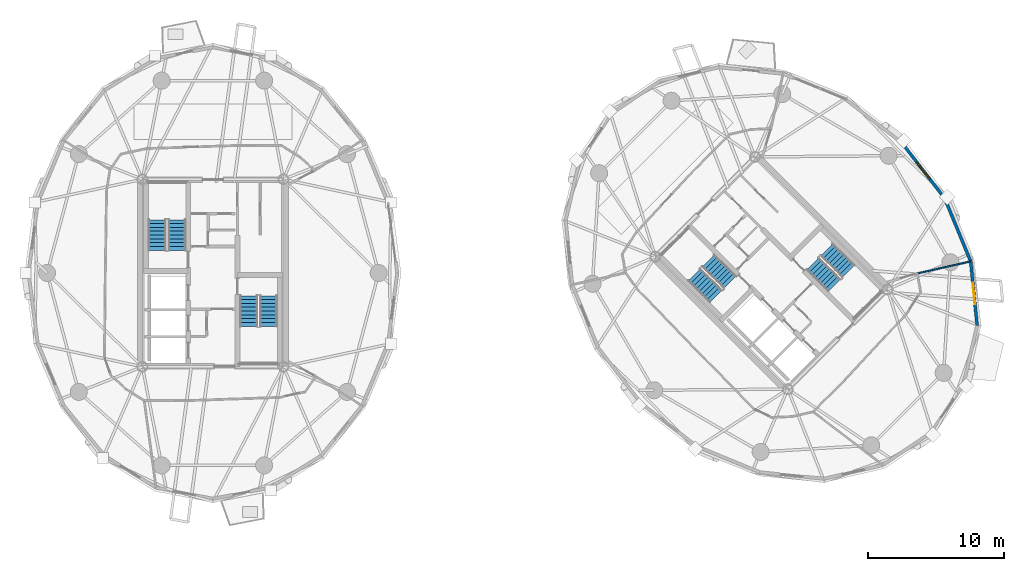
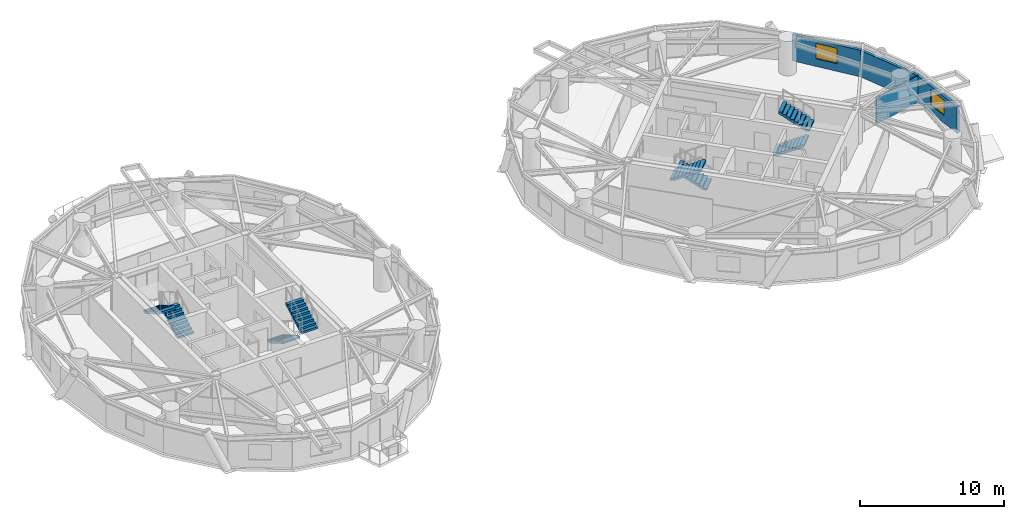
# One storey, part 14 of 17: 8 stair flights, 4 walls, 2 windows, 2 openings, 4 elements without a shape of their own.
"""IFC4 building model written with IfcOpenShell, lengths in metres."""

from ifc_helpers import new_model, si_unit, direction, frame, frame_2d, origin, place, context, subcontext, project, spatial, polyline, rectangle, outline, extrude, source, transform, mapped, material, layer, layer_set, type_object, element, fill, aggregate, save


model = new_model("IFC4")

# Units and contexts
model_context = context("Model", 3, precision=1e-05, world=origin(), true_north=direction((0.0, 1.0)))
body_context = subcontext(model_context, "Body", "Model", "MODEL_VIEW")
ifc_project = project(units=[si_unit("LENGTHUNIT", "METRE"), si_unit("AREAUNIT", "SQUARE_METRE"), si_unit("VOLUMEUNIT", "CUBIC_METRE"), si_unit("PLANEANGLEUNIT", "RADIAN"), si_unit("MASSUNIT", "GRAM", prefix="KILO")], contexts=[model_context])

# Site, building, storey
site_placement = place(None, origin())
site = spatial("IfcSite", under=ifc_project, at=site_placement, CompositionType="ELEMENT")
building_placement = place(site_placement, origin())
building = spatial("IfcBuilding", under=site, at=building_placement, Name="Cununo Teusaquillo Station Towers", CompositionType="ELEMENT")
storey_placement = place(building_placement, frame((0.0, 0.0, 186.52001953125)))
storey = spatial("IfcBuildingStorey", under=building, at=storey_placement, Name="L59", CompositionType="ELEMENT", Elevation=186.52001953125)

# Wall, opening, window
ifc_material_1 = material(Name="Precast concrete C40/50", Category="concrete")
ifc_layer_1 = layer(ifc_material_1, 0.219970703125)
ifc_layer_set_1 = layer_set([ifc_layer_1], Name="Precast concrete C40/50")
wall_type_1 = type_object("IfcWallType", Name="WL-EXT-220", PredefinedType="SOLIDWALL", material=ifc_layer_set_1)
wall_1_placement = place(storey_placement, frame((72.12744140625, 25.353515625, 0.0), z_axis=(0.0, 0.0, 1.0), x_axis=(0.100438356004, -0.994943283129, 0.0)))
wall_1 = element("IfcWall", 1, at=wall_1_placement, inside=storey, type_object=wall_type_1, Name="L59 Tower B Exterior Facade Wall C17", PredefinedType="SOLIDWALL", context=body_context, shape_type="SweptSolid", body=[
    extrude(rectangle(XDim=4.732666015625, YDim=0.219970703125, at=frame_2d((2.3662109375, 0.0))), origin(), (0.0, 0.0, 1.0), 2.244873046875),
])
shared_shape_1 = source(origin(), body_context, "Body", "SweptSolid", [
    extrude(rectangle(XDim=1.60009765625, YDim=1.300048828125, at=frame_2d((0.800048828125, 0.64990234375))), frame((0.0, 0.119873046875, 0.0), z_axis=(0.0, -1.0, 0.0), x_axis=(1.0, 0.0, 0.0)), (0.0, 0.0, 1.0), 0.239990234375),
])
opening_1_placement = place(wall_1_placement, frame((1.56591796875, 0.0, 0.64990234375)))
opening_1 = element("IfcOpeningElement", 2, at=opening_1_placement, cuts=wall_1, Name="Opening WN-03", PredefinedType="OPENING", context=body_context, shape_type="MappedRepresentation", body=[
    mapped(shared_shape_1, transform((0.0, 0.0, 0.0), x_axis=(1.0, 0.0, 0.0), y_axis=(0.0, 1.0, 0.0), z_axis=(0.0, 0.0, 1.0), scale=1.0)),
])
ifc_material_2 = material(Name="Ceramic-fritted dark low-E double glazing", Category="glass")
window_type = type_object("IfcWindowType", Name="WIN-CORN-1600", PartitioningType="SINGLE_PANEL", PredefinedType="WINDOW", material=ifc_material_2)
shared_shape_2 = source(origin(), body_context, "Body", "SweptSolid", [
    extrude(rectangle(XDim=1.60009765625, YDim=1.300048828125, at=frame_2d((0.800048828125, 0.64990234375))), frame((0.0, 0.030029296875, 0.0), z_axis=(0.0, -1.0, 0.0), x_axis=(1.0, 0.0, 0.0)), (0.0, 0.0, 1.0), 0.06005859375),
])
window_1_placement = place(opening_1_placement, origin())
window_1 = element("IfcWindow", 3, at=window_1_placement, inside=storey, type_object=window_type, Name="L59 Tower B Facade Window C17", OverallHeight=1.300048828125, OverallWidth=1.60009765625, PartitioningType="SINGLE_PANEL", PredefinedType="WINDOW", context=body_context, shape_type="MappedRepresentation", body=[
    mapped(shared_shape_2, transform((0.0, 0.0, 0.0), x_axis=(1.0, 0.0, 0.0), y_axis=(0.0, 1.0, 0.0), z_axis=(0.0, 0.0, 1.0), scale=1.0)),
])
fill(opening_1, window_1)

# Wall
wall_2_placement = place(storey_placement, frame((70.22021484375, 29.97900390625, 0.0), z_axis=(0.0, 0.0, 1.0), x_axis=(0.381196434348, -0.924494066201, 0.0)))
element("IfcWall", 4, at=wall_2_placement, inside=storey, type_object=wall_type_1, Name="L59 Tower B Exterior Facade Wall C18", PredefinedType="SOLIDWALL", context=body_context, shape_type="SweptSolid", body=[
    extrude(rectangle(XDim=5.003173828125, YDim=0.219970703125, at=frame_2d((2.50146484375, 0.0))), origin(), (0.0, 0.0, 1.0), 2.244873046875),
])

# Wall, opening, window
wall_3_placement = place(storey_placement, frame((67.06787109375, 34.06787109375, 0.0), z_axis=(0.0, 0.0, 1.0), x_axis=(0.610569654715, -0.791962560189, 0.0)))
wall_3 = element("IfcWall", 5, at=wall_3_placement, inside=storey, type_object=wall_type_1, Name="L59 Tower B Exterior Facade Wall C19", PredefinedType="SOLIDWALL", context=body_context, shape_type="SweptSolid", body=[
    extrude(rectangle(XDim=5.162841796875, YDim=0.219970703125, at=frame_2d((2.58154296875, 0.0))), origin(), (0.0, 0.0, 1.0), 2.244873046875),
])
opening_2_placement = place(wall_3_placement, frame((1.781982421875, 0.0, 0.64990234375)))
opening_2 = element("IfcOpeningElement", 6, at=opening_2_placement, cuts=wall_3, Name="Opening WN-03", PredefinedType="OPENING", context=body_context, shape_type="MappedRepresentation", body=[
    mapped(shared_shape_1, transform((0.0, 0.0, 0.0), x_axis=(1.0, 0.0, 0.0), y_axis=(0.0, 1.0, 0.0), z_axis=(0.0, 0.0, 1.0), scale=1.0)),
])
window_2_placement = place(opening_2_placement, origin())
window_2 = element("IfcWindow", 7, at=window_2_placement, inside=storey, type_object=window_type, Name="L59 Tower B Facade Window C19", OverallHeight=1.300048828125, OverallWidth=1.60009765625, PartitioningType="SINGLE_PANEL", PredefinedType="WINDOW", context=body_context, shape_type="MappedRepresentation", body=[
    mapped(shared_shape_2, transform((0.0, 0.0, 0.0), x_axis=(1.0, 0.0, 0.0), y_axis=(0.0, 1.0, 0.0), z_axis=(0.0, 0.0, 1.0), scale=1.0)),
])
fill(opening_2, window_2)

# Wall
ifc_material_3 = material(Name="Fire-rated gypsum plasterboard partition assembly", Category="gypsum")
ifc_layer_2 = layer(ifc_material_3, 0.10009765625)
ifc_layer_set_2 = layer_set([ifc_layer_2], Name="Fire-rated gypsum plasterboard partition assembly")
wall_type_2 = type_object("IfcWallType", Name="WL-PART-100", PredefinedType="MOVABLE", material=ifc_layer_set_2)
wall_4_placement = place(storey_placement, frame((68.210693359375, 24.46923828125, 0.0), z_axis=(0.0, 0.0, 1.0), x_axis=(0.975366409574, 0.220590949666, 0.0)))
element("IfcWall", 8, at=wall_4_placement, inside=storey, type_object=wall_type_2, Name="L59 Tower B Radial Suite Partition R04", PredefinedType="MOVABLE", context=body_context, shape_type="SweptSolid", body=[
    extrude(rectangle(XDim=3.995361328125, YDim=0.10009765625, at=frame_2d((1.99755859375, 0.0))), origin(), (0.0, 0.0, 1.0), 2.244873046875),
])

# Stair, stair flights
ifc_material_4 = material(Name="Concrete C50/60", Category="concrete")
stair_type = type_object("IfcStairType", Name="ST-TWR-1300", PredefinedType="HALF_TURN_STAIR", material=ifc_material_4)
stair_1_placement = place(storey_placement, origin())
stair_1 = element("IfcStair", 9, at=stair_1_placement, inside=storey, type_object=stair_type, Name="L59 Tower A Protected Core Exit Stair 1", PredefinedType="HALF_TURN_STAIR")
ifc_material_5 = material(Name="Concrete C50/60", Category="concrete")
stair_flight_type = type_object("IfcStairFlightType", Name="SFL-TWR-1300", PredefinedType="STRAIGHT", material=ifc_material_5)
stair_flight_1_placement = place(storey_placement, frame((13.8701171875, 26.169921875, 0.0), z_axis=(0.0, 0.0, 1.0), x_axis=(0.0, 1.0, 0.0)))
stair_flight_1 = element("IfcStairFlight", 10, at=stair_flight_1_placement, type_object=stair_flight_type, Name="ST-T1-1 flight 1", NumberOfRisers=9, NumberOfTreads=8, PredefinedType="STRAIGHT", RiserHeight=0.161666667, TreadLength=0.28, context=body_context, shape_type="SweptSolid", body=[
    extrude(outline(polyline([(0.0, 0.0), (0.0, 0.16162109375), (0.280029296875, 0.16162109375), (0.280029296875, 0.3232421875), (0.56005859375, 0.3232421875), (0.56005859375, 0.485107421875), (0.840087890625, 0.485107421875), (0.840087890625, 0.646728515625), (1.1201171875, 0.646728515625), (1.1201171875, 0.808349609375), (1.39990234375, 0.808349609375), (1.39990234375, 0.969970703125), (1.679931640625, 0.969970703125), (1.679931640625, 1.131591796875), (1.9599609375, 1.131591796875), (1.9599609375, 1.293212890625), (2.239990234375, 1.293212890625), (2.239990234375, 1.455078125), (2.239990234375, 1.1201171875), (0.2998046875, 0.0), (0.0, 0.0)])), frame((0.0, 0.64990234375, 0.0), z_axis=(0.0, -1.0, 0.0), x_axis=(1.0, 0.0, 0.0)), (0.0, 0.0, 1.0), 1.300048828125),
])
stair_flight_2_placement = place(storey_placement, frame((12.409912109375, 28.409912109375, 1.455078125), z_axis=(0.0, 0.0, 1.0), x_axis=(0.0, -1.0, 0.0)))
stair_flight_2 = element("IfcStairFlight", 11, at=stair_flight_2_placement, type_object=stair_flight_type, Name="ST-T1-1 flight 2", NumberOfRisers=9, NumberOfTreads=8, PredefinedType="STRAIGHT", RiserHeight=0.161666667, TreadLength=0.28, context=body_context, shape_type="SweptSolid", body=[
    extrude(outline(polyline([(0.0, 0.0), (0.0, 0.16162109375), (0.280029296875, 0.16162109375), (0.280029296875, 0.3232421875), (0.56005859375, 0.3232421875), (0.56005859375, 0.485107421875), (0.840087890625, 0.485107421875), (0.840087890625, 0.646728515625), (1.1201171875, 0.646728515625), (1.1201171875, 0.808349609375), (1.39990234375, 0.808349609375), (1.39990234375, 0.969970703125), (1.679931640625, 0.969970703125), (1.679931640625, 1.131591796875), (1.9599609375, 1.131591796875), (1.9599609375, 1.293212890625), (2.239990234375, 1.293212890625), (2.239990234375, 1.455078125), (2.239990234375, 1.1201171875), (0.2998046875, 0.0), (0.0, 0.0)])), frame((0.0, 0.64990234375, 0.0), z_axis=(0.0, -1.0, 0.0), x_axis=(1.0, 0.0, 0.0)), (0.0, 0.0, 1.0), 1.300048828125),
])
aggregate(stair_1, [stair_flight_1, stair_flight_2])

stair_2_placement = place(storey_placement, origin())
stair_2 = element("IfcStair", 12, at=stair_2_placement, inside=storey, type_object=stair_type, Name="L59 Tower A Protected Core Exit Stair 2", PredefinedType="HALF_TURN_STAIR")
stair_flight_3_placement = place(storey_placement, frame((19.1298828125, 22.830078125, 0.0), z_axis=(0.0, 0.0, 1.0), x_axis=(0.0, -1.0, 0.0)))
stair_flight_3 = element("IfcStairFlight", 13, at=stair_flight_3_placement, type_object=stair_flight_type, Name="ST-T1-2 flight 1", NumberOfRisers=9, NumberOfTreads=8, PredefinedType="STRAIGHT", RiserHeight=0.161666667, TreadLength=0.28, context=body_context, shape_type="SweptSolid", body=[
    extrude(outline(polyline([(0.0, 0.0), (0.0, 0.16162109375), (0.280029296875, 0.16162109375), (0.280029296875, 0.3232421875), (0.56005859375, 0.3232421875), (0.56005859375, 0.485107421875), (0.840087890625, 0.485107421875), (0.840087890625, 0.646728515625), (1.1201171875, 0.646728515625), (1.1201171875, 0.808349609375), (1.39990234375, 0.808349609375), (1.39990234375, 0.969970703125), (1.679931640625, 0.969970703125), (1.679931640625, 1.131591796875), (1.9599609375, 1.131591796875), (1.9599609375, 1.293212890625), (2.239990234375, 1.293212890625), (2.239990234375, 1.455078125), (2.239990234375, 1.1201171875), (0.2998046875, 0.0), (0.0, 0.0)])), frame((0.0, 0.64990234375, 0.0), z_axis=(0.0, -1.0, 0.0), x_axis=(1.0, 0.0, 0.0)), (0.0, 0.0, 1.0), 1.300048828125),
])
stair_flight_4_placement = place(storey_placement, frame((20.590087890625, 20.590087890625, 1.455078125), z_axis=(0.0, 0.0, 1.0), x_axis=(0.0, 1.0, 0.0)))
stair_flight_4 = element("IfcStairFlight", 14, at=stair_flight_4_placement, type_object=stair_flight_type, Name="ST-T1-2 flight 2", NumberOfRisers=9, NumberOfTreads=8, PredefinedType="STRAIGHT", RiserHeight=0.161666667, TreadLength=0.28, context=body_context, shape_type="SweptSolid", body=[
    extrude(outline(polyline([(0.0, 0.0), (0.0, 0.16162109375), (0.280029296875, 0.16162109375), (0.280029296875, 0.3232421875), (0.56005859375, 0.3232421875), (0.56005859375, 0.485107421875), (0.840087890625, 0.485107421875), (0.840087890625, 0.646728515625), (1.1201171875, 0.646728515625), (1.1201171875, 0.808349609375), (1.39990234375, 0.808349609375), (1.39990234375, 0.969970703125), (1.679931640625, 0.969970703125), (1.679931640625, 1.131591796875), (1.9599609375, 1.131591796875), (1.9599609375, 1.293212890625), (2.239990234375, 1.293212890625), (2.239990234375, 1.455078125), (2.239990234375, 1.1201171875), (0.2998046875, 0.0), (0.0, 0.0)])), frame((0.0, 0.64990234375, 0.0), z_axis=(0.0, -1.0, 0.0), x_axis=(1.0, 0.0, 0.0)), (0.0, 0.0, 1.0), 1.300048828125),
])
aggregate(stair_2, [stair_flight_3, stair_flight_4])

stair_3_placement = place(storey_placement, origin())
stair_3 = element("IfcStair", 15, at=stair_3_placement, inside=storey, type_object=stair_type, Name="L59 Tower B Protected Core Exit Stair 1", PredefinedType="HALF_TURN_STAIR")
stair_flight_5_placement = place(storey_placement, frame((54.45947265625, 23.8212890625, 0.0), z_axis=(0.0, 0.0, 1.0), x_axis=(-0.707106781187, 0.707106781187, 0.0)))
stair_flight_5 = element("IfcStairFlight", 16, at=stair_flight_5_placement, type_object=stair_flight_type, Name="ST-T2-1 flight 1", NumberOfRisers=9, NumberOfTreads=8, PredefinedType="STRAIGHT", RiserHeight=0.161666667, TreadLength=0.28, context=body_context, shape_type="SweptSolid", body=[
    extrude(outline(polyline([(0.0, 0.0), (0.0, 0.16162109375), (0.280029296875, 0.16162109375), (0.280029296875, 0.3232421875), (0.56005859375, 0.3232421875), (0.56005859375, 0.485107421875), (0.840087890625, 0.485107421875), (0.840087890625, 0.646728515625), (1.1201171875, 0.646728515625), (1.1201171875, 0.808349609375), (1.39990234375, 0.808349609375), (1.39990234375, 0.969970703125), (1.679931640625, 0.969970703125), (1.679931640625, 1.131591796875), (1.9599609375, 1.131591796875), (1.9599609375, 1.293212890625), (2.239990234375, 1.293212890625), (2.239990234375, 1.455078125), (2.239990234375, 1.1201171875), (0.2998046875, 0.0), (0.0, 0.0)])), frame((0.0, 0.64990234375, 0.0), z_axis=(0.0, -1.0, 0.0), x_axis=(1.0, 0.0, 0.0)), (0.0, 0.0, 1.0), 1.300048828125),
])
stair_flight_6_placement = place(storey_placement, frame((51.84326171875, 24.372802734375, 1.455078125), z_axis=(0.0, 0.0, 1.0), x_axis=(0.707106781187, -0.707106781187, 0.0)))
stair_flight_6 = element("IfcStairFlight", 17, at=stair_flight_6_placement, type_object=stair_flight_type, Name="ST-T2-1 flight 2", NumberOfRisers=9, NumberOfTreads=8, PredefinedType="STRAIGHT", RiserHeight=0.161666667, TreadLength=0.28, context=body_context, shape_type="SweptSolid", body=[
    extrude(outline(polyline([(0.0, 0.0), (0.0, 0.16162109375), (0.280029296875, 0.16162109375), (0.280029296875, 0.3232421875), (0.56005859375, 0.3232421875), (0.56005859375, 0.485107421875), (0.840087890625, 0.485107421875), (0.840087890625, 0.646728515625), (1.1201171875, 0.646728515625), (1.1201171875, 0.808349609375), (1.39990234375, 0.808349609375), (1.39990234375, 0.969970703125), (1.679931640625, 0.969970703125), (1.679931640625, 1.131591796875), (1.9599609375, 1.131591796875), (1.9599609375, 1.293212890625), (2.239990234375, 1.293212890625), (2.239990234375, 1.455078125), (2.239990234375, 1.1201171875), (0.2998046875, 0.0), (0.0, 0.0)])), frame((0.0, 0.64990234375, 0.0), z_axis=(0.0, -1.0, 0.0), x_axis=(1.0, 0.0, 0.0)), (0.0, 0.0, 1.0), 1.300048828125),
])
aggregate(stair_3, [stair_flight_5, stair_flight_6])

stair_4_placement = place(storey_placement, origin())
stair_4 = element("IfcStair", 18, at=stair_4_placement, inside=storey, type_object=stair_type, Name="L59 Tower B Protected Core Exit Stair 2", PredefinedType="HALF_TURN_STAIR")
stair_flight_7_placement = place(storey_placement, frame((60.54052734375, 25.1787109375, 0.0), z_axis=(0.0, 0.0, 1.0), x_axis=(0.707106781187, -0.707106781187, 0.0)))
stair_flight_7 = element("IfcStairFlight", 19, at=stair_flight_7_placement, type_object=stair_flight_type, Name="ST-T2-2 flight 1", NumberOfRisers=9, NumberOfTreads=8, PredefinedType="STRAIGHT", RiserHeight=0.161666667, TreadLength=0.28, context=body_context, shape_type="SweptSolid", body=[
    extrude(outline(polyline([(0.0, 0.0), (0.0, 0.16162109375), (0.280029296875, 0.16162109375), (0.280029296875, 0.3232421875), (0.56005859375, 0.3232421875), (0.56005859375, 0.485107421875), (0.840087890625, 0.485107421875), (0.840087890625, 0.646728515625), (1.1201171875, 0.646728515625), (1.1201171875, 0.808349609375), (1.39990234375, 0.808349609375), (1.39990234375, 0.969970703125), (1.679931640625, 0.969970703125), (1.679931640625, 1.131591796875), (1.9599609375, 1.131591796875), (1.9599609375, 1.293212890625), (2.239990234375, 1.293212890625), (2.239990234375, 1.455078125), (2.239990234375, 1.1201171875), (0.2998046875, 0.0), (0.0, 0.0)])), frame((0.0, 0.64990234375, 0.0), z_axis=(0.0, -1.0, 0.0), x_axis=(1.0, 0.0, 0.0)), (0.0, 0.0, 1.0), 1.300048828125),
])
stair_flight_8_placement = place(storey_placement, frame((63.15673828125, 24.627197265625, 1.455078125), z_axis=(0.0, 0.0, 1.0), x_axis=(-0.707106781187, 0.707106781187, 0.0)))
stair_flight_8 = element("IfcStairFlight", 20, at=stair_flight_8_placement, type_object=stair_flight_type, Name="ST-T2-2 flight 2", NumberOfRisers=9, NumberOfTreads=8, PredefinedType="STRAIGHT", RiserHeight=0.161666667, TreadLength=0.28, context=body_context, shape_type="SweptSolid", body=[
    extrude(outline(polyline([(0.0, 0.0), (0.0, 0.16162109375), (0.280029296875, 0.16162109375), (0.280029296875, 0.3232421875), (0.56005859375, 0.3232421875), (0.56005859375, 0.485107421875), (0.840087890625, 0.485107421875), (0.840087890625, 0.646728515625), (1.1201171875, 0.646728515625), (1.1201171875, 0.808349609375), (1.39990234375, 0.808349609375), (1.39990234375, 0.969970703125), (1.679931640625, 0.969970703125), (1.679931640625, 1.131591796875), (1.9599609375, 1.131591796875), (1.9599609375, 1.293212890625), (2.239990234375, 1.293212890625), (2.239990234375, 1.455078125), (2.239990234375, 1.1201171875), (0.2998046875, 0.0), (0.0, 0.0)])), frame((0.0, 0.64990234375, 0.0), z_axis=(0.0, -1.0, 0.0), x_axis=(1.0, 0.0, 0.0)), (0.0, 0.0, 1.0), 1.300048828125),
])
aggregate(stair_4, [stair_flight_7, stair_flight_8])

save(model, "model.ifc")
